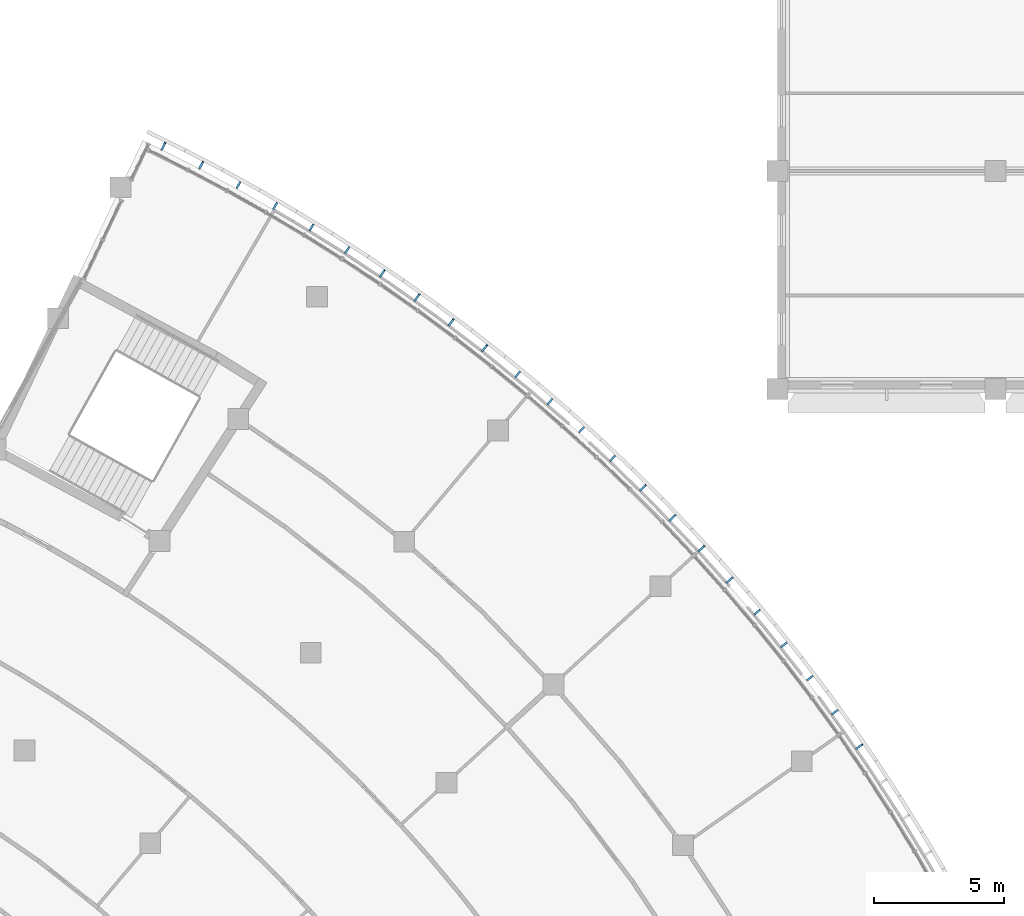
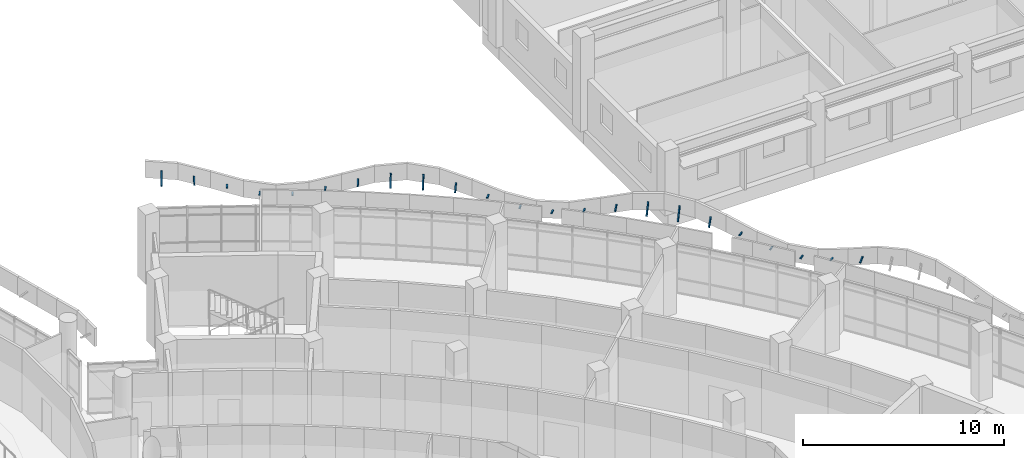
# One storey, part 86 of 109: 23 discrete accessories.
"""IFC4 building model written with IfcOpenShell, lengths in metres."""

from ifc_helpers import new_model, si_unit, direction, frame, origin, origin_2d, place, context, subcontext, project, spatial, rectangle, extrude, material, material_profile, profile_set, type_object, element, save


model = new_model("IFC4")

# Units and contexts
model_context = context("Model", 3, precision=1e-05, world=origin(), true_north=direction((0.0, 1.0)))
body_context = subcontext(model_context, "Body", "Model", "MODEL_VIEW")
ifc_project = project(units=[si_unit("LENGTHUNIT", "METRE"), si_unit("AREAUNIT", "SQUARE_METRE"), si_unit("VOLUMEUNIT", "CUBIC_METRE"), si_unit("PLANEANGLEUNIT", "RADIAN"), si_unit("MASSUNIT", "GRAM", prefix="KILO")], contexts=[model_context])

# Site, building, storey
site_placement = place(None, origin())
site = spatial("IfcSite", under=ifc_project, at=site_placement, CompositionType="ELEMENT")
building_placement = place(site_placement, origin())
building = spatial("IfcBuilding", under=site, at=building_placement, Name="Bougainvillea Quay General Hospital", CompositionType="ELEMENT")
storey_placement = place(building_placement, frame((0.0, 0.0, 12.60009765625)))
storey = spatial("IfcBuildingStorey", under=building, at=storey_placement, Name="L02", CompositionType="ELEMENT", Elevation=12.60009765625)

# Discrete accessories
ifc_material = material(Name="Stainless steel bracket, grade 316", Category="steel")
ifc_material_profile = material_profile(ifc_material, rectangle(XDim=0.080078125, YDim=0.050048828125, at=origin_2d()))
ifc_profile_set = profile_set([ifc_material_profile], Name="Stainless steel bracket, grade 316")
discrete_accessory_type = type_object("IfcDiscreteAccessoryType", Name="Stainless steel stand-off bracket 80x50", PredefinedType="BRACKET", material=ifc_profile_set)
discrete_accessory_1_placement = place(storey_placement, frame((166.826416015625, 61.731689453125, 4.139892578125), z_axis=(0.691913183606, 0.477700694517, 0.541348494789), x_axis=(-0.568151345887, 0.822924084085, 0.0)))
element("IfcDiscreteAccessory", 1, at=discrete_accessory_1_placement, inside=storey, type_object=discrete_accessory_type, Name="Fascia bracket a23 22", PredefinedType="BRACKET", context=body_context, shape_type="SweptSolid", body=[
    extrude(rectangle(XDim=0.080078125, YDim=0.050048828125, at=origin_2d()), origin(), (0.0, 0.0, 1.0), 0.356689453125),
])
for number, where, z_axis, x_axis, name in (
    (2, (165.888916015625, 63.05810546875, 3.7841796875), (0.809755446821, 0.586767514731, 0.0), (-0.586767514731, 0.809755446821, 0.0), "Fascia bracket a23 23"),
    (3, (164.921142578125, 64.3623046875, 3.473876953125), (0.795879841968, 0.605454603706, 0.0), (-0.605454603706, 0.795879841968, 0.0), "Fascia bracket a23 24"),
    (4, (163.923095703125, 65.643798828125, 3.580810546875), (0.781978987605, 0.623304791369, 0.0), (-0.623304791369, 0.781978987605, 0.0), "Fascia bracket a23 25"),
):
    element("IfcDiscreteAccessory", number, at=place(storey_placement, frame(where, z_axis=z_axis, x_axis=x_axis)), inside=storey, type_object=discrete_accessory_type, Name=name, PredefinedType="BRACKET", context=body_context, shape_type="SweptSolid", body=[
        extrude(rectangle(XDim=0.080078125, YDim=0.050048828125, at=origin_2d()), origin(), (0.0, 0.0, 1.0), 0.300048828125),
    ])
discrete_accessory_2_placement = place(storey_placement, frame((162.895751953125, 66.90185546875, 4.043212890625), z_axis=(0.767018582202, 0.641624886173, 0.0), x_axis=(-0.641624886173, 0.767018582202, 0.0)))
element("IfcDiscreteAccessory", 5, at=discrete_accessory_2_placement, inside=storey, type_object=discrete_accessory_type, Name="Fascia bracket a23 26", PredefinedType="BRACKET", context=body_context, shape_type="SweptSolid", body=[
    extrude(rectangle(XDim=0.080078125, YDim=0.050048828125, at=origin_2d()), origin(), (0.0, 0.0, 1.0), 0.2998046875),
])
discrete_accessory_3_placement = place(storey_placement, frame((161.83935546875, 68.1357421875, 4.139892578125), z_axis=(0.413408749698, 0.362403774086, 0.835318328664), x_axis=(-0.659195718475, 0.751971412186, 0.0)))
element("IfcDiscreteAccessory", 6, at=discrete_accessory_3_placement, inside=storey, type_object=discrete_accessory_type, Name="Fascia bracket a23 27", PredefinedType="BRACKET", context=body_context, shape_type="SweptSolid", body=[
    extrude(rectangle(XDim=0.080078125, YDim=0.050048828125, at=origin_2d()), origin(), (0.0, 0.0, 1.0), 0.545654296875),
])
discrete_accessory_4_placement = place(storey_placement, frame((160.754638671875, 69.3447265625, 4.139892578125), z_axis=(0.264363640666, 0.242479233326, 0.933442921072), x_axis=(-0.67594560073, 0.736951521373, 0.0)))
element("IfcDiscreteAccessory", 7, at=discrete_accessory_4_placement, inside=storey, type_object=discrete_accessory_type, Name="Fascia bracket a23 28", PredefinedType="BRACKET", context=body_context, shape_type="SweptSolid", body=[
    extrude(rectangle(XDim=0.080078125, YDim=0.050048828125, at=origin_2d()), origin(), (0.0, 0.0, 1.0), 0.836669921875),
])
discrete_accessory_5_placement = place(storey_placement, frame((159.642333984375, 70.528076171875, 4.139892578125), z_axis=(0.286816174411, 0.275809684648, 0.91742329377), x_axis=(-0.693141232376, 0.720801797987, 0.0)))
element("IfcDiscreteAccessory", 8, at=discrete_accessory_5_placement, inside=storey, type_object=discrete_accessory_type, Name="Fascia bracket a23 29", PredefinedType="BRACKET", context=body_context, shape_type="SweptSolid", body=[
    extrude(rectangle(XDim=0.080078125, YDim=0.050048828125, at=origin_2d()), origin(), (0.0, 0.0, 1.0), 0.754150390625),
])
discrete_accessory_6_placement = place(storey_placement, frame((158.502685546875, 71.685302734375, 4.139892578125), z_axis=(0.550090911701, 0.554537374036, 0.624410353582), x_axis=(-0.70994734782, 0.704254757402, 0.0)))
element("IfcDiscreteAccessory", 9, at=discrete_accessory_6_placement, inside=storey, type_object=discrete_accessory_type, Name="Fascia bracket a23 30", PredefinedType="BRACKET", context=body_context, shape_type="SweptSolid", body=[
    extrude(rectangle(XDim=0.080078125, YDim=0.050048828125, at=origin_2d()), origin(), (0.0, 0.0, 1.0), 0.38427734375),
])
discrete_accessory_7_placement = place(storey_placement, frame((157.336669921875, 72.81591796875, 3.824462890625), z_axis=(0.687722073019, 0.72597406998, 0.0), x_axis=(-0.72597406998, 0.687722073019, 0.0)))
element("IfcDiscreteAccessory", 10, at=discrete_accessory_7_placement, inside=storey, type_object=discrete_accessory_type, Name="Fascia bracket a23 31", PredefinedType="BRACKET", context=body_context, shape_type="SweptSolid", body=[
    extrude(rectangle(XDim=0.080078125, YDim=0.050048828125, at=origin_2d()), origin(), (0.0, 0.0, 1.0), 0.300048828125),
])
discrete_accessory_8_placement = place(storey_placement, frame((156.14453125, 73.919189453125, 3.48486328125), z_axis=(0.670849445541, 0.741593568889, 0.0), x_axis=(-0.741593568889, 0.670849445541, 0.0)))
element("IfcDiscreteAccessory", 11, at=discrete_accessory_8_placement, inside=storey, type_object=discrete_accessory_type, Name="Fascia bracket a23 32", PredefinedType="BRACKET", context=body_context, shape_type="SweptSolid", body=[
    extrude(rectangle(XDim=0.080078125, YDim=0.050048828125, at=origin_2d()), origin(), (0.0, 0.0, 1.0), 0.30029296875),
])
for number, where, z_axis, x_axis, name in (
    (12, (154.92724609375, 74.994384765625, 3.555908203125), (0.653132678121, 0.757243491072, 0.0), (-0.757243491072, 0.653132678121, 0.0), "Fascia bracket a23 33"),
    (13, (153.685302734375, 76.041259765625, 3.996826171875), (0.635450544584, 0.77214157082, 0.0), (-0.77214157082, 0.635450544584, 0.0), "Fascia bracket a23 34"),
):
    element("IfcDiscreteAccessory", number, at=place(storey_placement, frame(where, z_axis=z_axis, x_axis=x_axis)), inside=storey, type_object=discrete_accessory_type, Name=name, PredefinedType="BRACKET", context=body_context, shape_type="SweptSolid", body=[
        extrude(rectangle(XDim=0.080078125, YDim=0.050048828125, at=origin_2d()), origin(), (0.0, 0.0, 1.0), 0.300048828125),
    ])
discrete_accessory_9_placement = place(storey_placement, frame((152.41943359375, 77.058837890625, 4.139892578125), z_axis=(0.362070604981, 0.461294169982, 0.810007756598), x_axis=(-0.786628745122, 0.617426284951, 0.0)))
element("IfcDiscreteAccessory", 14, at=discrete_accessory_9_placement, inside=storey, type_object=discrete_accessory_type, Name="Fascia bracket a23 35", PredefinedType="BRACKET", context=body_context, shape_type="SweptSolid", body=[
    extrude(rectangle(XDim=0.080078125, YDim=0.050048828125, at=origin_2d()), origin(), (0.0, 0.0, 1.0), 0.51171875),
])
discrete_accessory_10_placement = place(storey_placement, frame((151.13037109375, 78.046875, 4.139892578125), z_axis=(0.217794797013, 0.291182174267, 0.93154622418), x_axis=(-0.80078057117, 0.598957825591, 0.0)))
element("IfcDiscreteAccessory", 15, at=discrete_accessory_10_placement, inside=storey, type_object=discrete_accessory_type, Name="Fascia bracket a23 36", PredefinedType="BRACKET", context=body_context, shape_type="SweptSolid", body=[
    extrude(rectangle(XDim=0.080078125, YDim=0.050048828125, at=origin_2d()), origin(), (0.0, 0.0, 1.0), 0.824951171875),
])
discrete_accessory_11_placement = place(storey_placement, frame((149.818603515625, 79.004638671875, 4.139892578125), z_axis=(0.224338870072, 0.31495541226, 0.922212101234), x_axis=(-0.814502463305, 0.58016009624, 0.0)))
element("IfcDiscreteAccessory", 16, at=discrete_accessory_11_placement, inside=storey, type_object=discrete_accessory_type, Name="Fascia bracket a23 37", PredefinedType="BRACKET", context=body_context, shape_type="SweptSolid", body=[
    extrude(rectangle(XDim=0.080078125, YDim=0.050048828125, at=origin_2d()), origin(), (0.0, 0.0, 1.0), 0.77587890625),
])
discrete_accessory_12_placement = place(storey_placement, frame((148.485107421875, 79.931884765625, 4.139892578125), z_axis=(0.405814427265, 0.599003298299, 0.690296819673), x_axis=(-0.827894302883, 0.560884144234, 0.0)))
element("IfcDiscreteAccessory", 17, at=discrete_accessory_12_placement, inside=storey, type_object=discrete_accessory_type, Name="Fascia bracket a23 38", PredefinedType="BRACKET", context=body_context, shape_type="SweptSolid", body=[
    extrude(rectangle(XDim=0.080078125, YDim=0.050048828125, at=origin_2d()), origin(), (0.0, 0.0, 1.0), 0.41455078125),
])
for number, where, z_axis, x_axis, name in (
    (18, (147.13037109375, 80.82763671875, 3.866455078125), (0.54129229485, 0.840834497113, 0.0), (-0.840834497113, 0.54129229485, 0.0), "Fascia bracket a23 39"),
    (19, (145.755126953125, 81.69189453125, 3.498779296875), (0.522371246556, 0.852718171949, 0.0), (-0.852718171949, 0.522371246556, 0.0), "Fascia bracket a23 40"),
    (20, (144.360107421875, 82.524169921875, 3.533447265625), (0.502959906984, 0.86430974307, 0.0), (-0.86430974307, 0.502959906984, 0.0), "Fascia bracket a23 41"),
):
    element("IfcDiscreteAccessory", number, at=place(storey_placement, frame(where, z_axis=z_axis, x_axis=x_axis)), inside=storey, type_object=discrete_accessory_type, Name=name, PredefinedType="BRACKET", context=body_context, shape_type="SweptSolid", body=[
        extrude(rectangle(XDim=0.080078125, YDim=0.050048828125, at=origin_2d()), origin(), (0.0, 0.0, 1.0), 0.300048828125),
    ])
discrete_accessory_13_placement = place(storey_placement, frame((142.946533203125, 83.32373046875, 3.951171875), z_axis=(0.482043775673, 0.876147132812, 0.0), x_axis=(-0.876147132812, 0.482043775673, 0.0)))
element("IfcDiscreteAccessory", 21, at=discrete_accessory_13_placement, inside=storey, type_object=discrete_accessory_type, Name="Fascia bracket a23 42", PredefinedType="BRACKET", context=body_context, shape_type="SweptSolid", body=[
    extrude(rectangle(XDim=0.080078125, YDim=0.050048828125, at=origin_2d()), origin(), (0.0, 0.0, 1.0), 0.2998046875),
])
discrete_accessory_14_placement = place(storey_placement, frame((141.514404296875, 84.090087890625, 4.139892578125), z_axis=(0.289756831451, 0.557028123953, 0.778306268607), x_axis=(-0.887150162952, 0.461480864581, 0.0)))
element("IfcDiscreteAccessory", 22, at=discrete_accessory_14_placement, inside=storey, type_object=discrete_accessory_type, Name="Fascia bracket a23 43", PredefinedType="BRACKET", context=body_context, shape_type="SweptSolid", body=[
    extrude(rectangle(XDim=0.080078125, YDim=0.050048828125, at=origin_2d()), origin(), (0.0, 0.0, 1.0), 0.477783203125),
])
discrete_accessory_15_placement = place(storey_placement, frame((140.065185546875, 84.8232421875, 4.139892578125), z_axis=(0.162921398289, 0.332166917399, 0.929043463442), x_axis=(-0.897819771676, 0.44036309744, 0.0)))
element("IfcDiscreteAccessory", 23, at=discrete_accessory_15_placement, inside=storey, type_object=discrete_accessory_type, Name="Fascia bracket a23 44", PredefinedType="BRACKET", context=body_context, shape_type="SweptSolid", body=[
    extrude(rectangle(XDim=0.080078125, YDim=0.050048828125, at=origin_2d()), origin(), (0.0, 0.0, 1.0), 0.810791015625),
])

save(model, "model.ifc")
